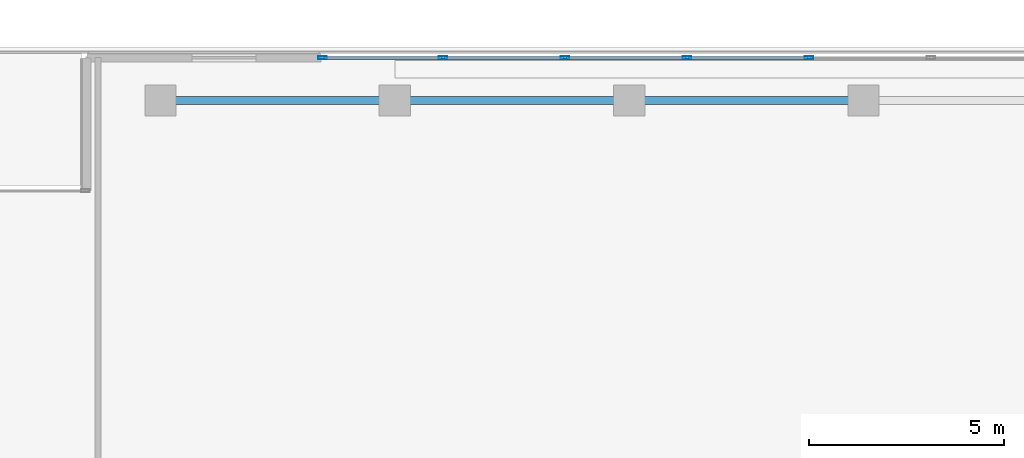
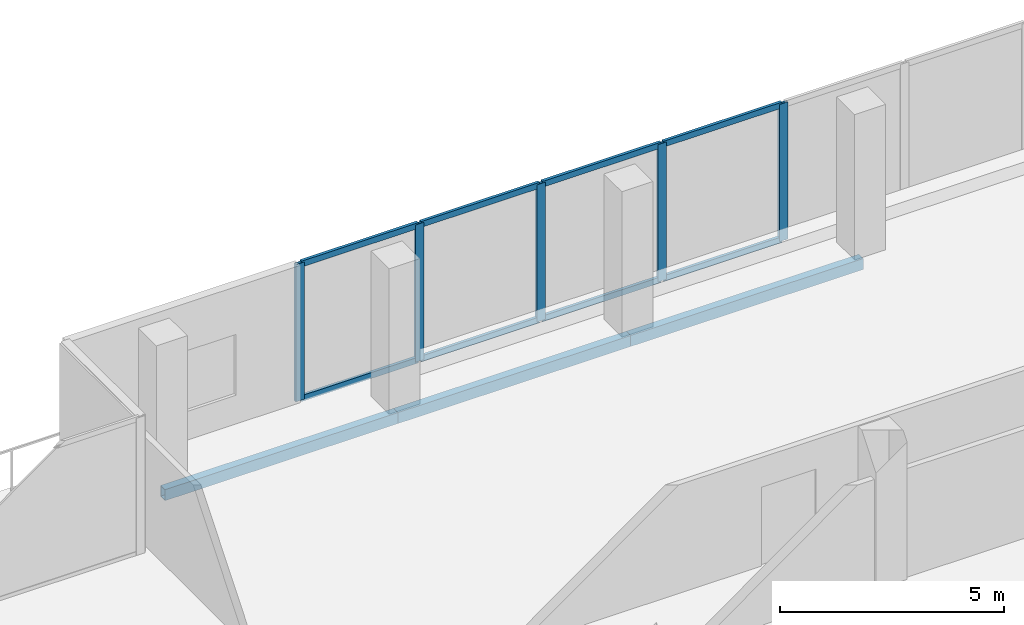
# One storey, part 12 of 26: 13 members, 3 beams, 1 element without a shape of its own.
"""IFC4 building model written with IfcOpenShell, lengths in metres."""

from ifc_helpers import new_model, si_unit, direction, frame, origin, origin_2d, place, context, subcontext, project, spatial, hollow_rectangle, extrude, material, layer, layer_set, material_profile, profile_set, type_object, element, aggregate, save


model = new_model("IFC4")

# Units and contexts
model_context = context("Model", 3, precision=1e-05, world=origin(), true_north=direction((0.0, 1.0)))
body_context = subcontext(model_context, "Body", "Model", "MODEL_VIEW")
ifc_project = project(units=[si_unit("LENGTHUNIT", "METRE"), si_unit("AREAUNIT", "SQUARE_METRE"), si_unit("VOLUMEUNIT", "CUBIC_METRE"), si_unit("PLANEANGLEUNIT", "RADIAN"), si_unit("MASSUNIT", "GRAM", prefix="KILO")], contexts=[model_context])

# Site, building, storey
site_placement = place(None, origin())
site = spatial("IfcSite", under=ifc_project, at=site_placement, CompositionType="ELEMENT")
building_placement = place(site_placement, origin())
building = spatial("IfcBuilding", under=site, at=building_placement, Name="Tanjung Sevakor Pilgrim Tower", CompositionType="ELEMENT")
storey_placement = place(building_placement, frame((0.0, 0.0, 177.8701171875)))
storey = spatial("IfcBuildingStorey", under=building, at=storey_placement, Name="L49", CompositionType="ELEMENT", Elevation=177.8701171875)

# Beams
ifc_material_1 = material(Name="Steel S355J2", Category="steel")
ifc_material_profile_1 = material_profile(ifc_material_1, hollow_rectangle(XDim=0.199951171875, YDim=0.300048828125, WallThickness=0.012451171875, at=origin_2d()))
ifc_profile_set_1 = profile_set([ifc_material_profile_1], Name="Steel S355J2")
beam_type = type_object("IfcBeamType", Name="BM-B-SP3-RHS_300x200x12.5", PredefinedType="SPANDREL", material=ifc_profile_set_1)
for number, where, z_axis, x_axis, name in (
    (1, (54.0, 53.949951171875, -0.43017578125), (1.0, 0.0, 0.0), (0.0, 1.0, 0.0), "L49 Spandrel MAIN N-06"),
    (2, (60.0, 53.949951171875, -0.43017578125), (1.0, 0.0, 0.0), (0.0, 1.0, 0.0), "L49 Spandrel MAIN N-08"),
    (3, (66.0, 53.949951171875, -0.43017578125), (1.0, 0.0, 0.0), (0.0, 1.0, 0.0), "L49 Spandrel MAIN N-10"),
):
    element("IfcBeam", number, at=place(storey_placement, frame(where, z_axis=z_axis, x_axis=x_axis)), inside=storey, type_object=beam_type, Name=name, PredefinedType="SPANDREL", context=body_context, shape_type="SweptSolid", body=[
        extrude(hollow_rectangle(XDim=0.199951171875, YDim=0.300048828125, WallThickness=0.012451171875, at=origin_2d()), origin(), (0.0, 0.0, 1.0), 6.0),
    ])

# Curtain wall, members
ifc_material_2 = material(Name="Aluminium 6063-T6 and Low-E Glass", Category="aluminium")
ifc_layer = layer(ifc_material_2, 0.199951171875)
ifc_layer_set = layer_set([ifc_layer], Name="CW-SYS-SKY")
curtain_wall_type = type_object("IfcCurtainWallType", Name="CW-SYS-SKY", PredefinedType="NOTDEFINED", material=ifc_layer_set)
curtain_wall_placement = place(storey_placement, origin())
curtain_wall = element("IfcCurtainWall", 4, at=curtain_wall_placement, inside=storey, type_object=curtain_wall_type, Name="L49 Curtain Wall CW-SKY-L49-N", PredefinedType="NOTDEFINED")
ifc_material_3 = material(Name="Aluminium 6063-T6", Category="aluminium")
ifc_material_profile_2 = material_profile(ifc_material_3, hollow_rectangle(XDim=0.074951171875, YDim=0.219970703125, WallThickness=0.0048828125, at=origin_2d()))
ifc_profile_set_2 = profile_set([ifc_material_profile_2], Name="Aluminium 6063-T6")
member_type_1 = type_object("IfcMemberType", Name="TYPE-CWM-2", PredefinedType="MULLION", material=ifc_profile_set_2)
member_1_placement = place(storey_placement, frame((70.607666015625, 55.0400390625, 0.0), z_axis=(0.0, 0.0, 1.0), x_axis=(0.0, -1.0, 0.0)))
member_1 = element("IfcMember", 5, at=member_1_placement, type_object=member_type_1, Name="CW-SKY mullion 7", PredefinedType="MULLION", context=body_context, shape_type="SweptSolid", body=[
    extrude(hollow_rectangle(XDim=0.074951171875, YDim=0.219970703125, WallThickness=0.0048828125, at=origin_2d()), origin(), (0.0, 0.0, 1.0), 3.739990234375),
])
member_2_placement = place(storey_placement, frame((67.4833984375, 55.0400390625, 0.0), z_axis=(0.0, 0.0, 1.0), x_axis=(0.0, -1.0, 0.0)))
member_2 = element("IfcMember", 6, at=member_2_placement, type_object=member_type_1, Name="CW-SKY mullion 8", PredefinedType="MULLION", context=body_context, shape_type="SweptSolid", body=[
    extrude(hollow_rectangle(XDim=0.074951171875, YDim=0.219970703125, WallThickness=0.0048828125, at=origin_2d()), origin(), (0.0, 0.0, 1.0), 3.739990234375),
])
member_3_placement = place(storey_placement, frame((64.35888671875, 55.0400390625, 0.0), z_axis=(0.0, 0.0, 1.0), x_axis=(0.0, -1.0, 0.0)))
member_3 = element("IfcMember", 7, at=member_3_placement, type_object=member_type_1, Name="CW-SKY mullion 9", PredefinedType="MULLION", context=body_context, shape_type="SweptSolid", body=[
    extrude(hollow_rectangle(XDim=0.074951171875, YDim=0.219970703125, WallThickness=0.0048828125, at=origin_2d()), origin(), (0.0, 0.0, 1.0), 3.739990234375),
])
member_4_placement = place(storey_placement, frame((61.234375, 55.0400390625, 0.0), z_axis=(0.0, 0.0, 1.0), x_axis=(0.0, -1.0, 0.0)))
member_4 = element("IfcMember", 8, at=member_4_placement, type_object=member_type_1, Name="CW-SKY mullion 10", PredefinedType="MULLION", context=body_context, shape_type="SweptSolid", body=[
    extrude(hollow_rectangle(XDim=0.074951171875, YDim=0.219970703125, WallThickness=0.0048828125, at=origin_2d()), origin(), (0.0, 0.0, 1.0), 3.739990234375),
])
member_5_placement = place(storey_placement, frame((58.1474609375, 55.0400390625, 0.0), z_axis=(0.0, 0.0, 1.0), x_axis=(0.0, -1.0, 0.0)))
member_5 = element("IfcMember", 9, at=member_5_placement, type_object=member_type_1, Name="CW-SKY mullion 11", PredefinedType="MULLION", context=body_context, shape_type="SweptSolid", body=[
    extrude(hollow_rectangle(XDim=0.074951171875, YDim=0.219970703125, WallThickness=0.0048828125, at=origin_2d()), origin(), (0.0, 0.0, 1.0), 3.739990234375),
])
ifc_material_4 = material(Name="Aluminium 6063-T6", Category="aluminium")
ifc_material_profile_3 = material_profile(ifc_material_4, hollow_rectangle(XDim=0.074951171875, YDim=0.159912109375, WallThickness=0.00439453125, at=origin_2d()))
ifc_profile_set_3 = profile_set([ifc_material_profile_3], Name="Aluminium 6063-T6")
member_type_2 = type_object("IfcMemberType", Name="TYPE-CWT-2", PredefinedType="USERDEFINED", material=ifc_profile_set_3)
member_6_placement = place(storey_placement, frame((70.5703125, 55.0400390625, 0.037353515625), z_axis=(-1.0, 0.0, 0.0), x_axis=(0.0, -1.0, 0.0)))
member_6 = element("IfcMember", 10, at=member_6_placement, type_object=member_type_2, Name="CW-SKY transom 7.1", ObjectType="TRANSOM", PredefinedType="USERDEFINED", context=body_context, shape_type="SweptSolid", body=[
    extrude(hollow_rectangle(XDim=0.074951171875, YDim=0.159912109375, WallThickness=0.00439453125, at=origin_2d()), origin(), (0.0, 0.0, 1.0), 3.049560546875),
])
member_7_placement = place(storey_placement, frame((70.5703125, 55.0400390625, 3.702392578125), z_axis=(-1.0, 0.0, 0.0), x_axis=(0.0, -1.0, 0.0)))
member_7 = element("IfcMember", 11, at=member_7_placement, type_object=member_type_2, Name="CW-SKY transom 7.2", ObjectType="TRANSOM", PredefinedType="USERDEFINED", context=body_context, shape_type="SweptSolid", body=[
    extrude(hollow_rectangle(XDim=0.074951171875, YDim=0.159912109375, WallThickness=0.00439453125, at=origin_2d()), origin(), (0.0, 0.0, 1.0), 3.049560546875),
])
member_8_placement = place(storey_placement, frame((67.44580078125, 55.0400390625, 0.037353515625), z_axis=(-1.0, 0.0, 0.0), x_axis=(0.0, -1.0, 0.0)))
member_8 = element("IfcMember", 12, at=member_8_placement, type_object=member_type_2, Name="CW-SKY transom 8.1", ObjectType="TRANSOM", PredefinedType="USERDEFINED", context=body_context, shape_type="SweptSolid", body=[
    extrude(hollow_rectangle(XDim=0.074951171875, YDim=0.159912109375, WallThickness=0.00439453125, at=origin_2d()), origin(), (0.0, 0.0, 1.0), 3.04931640625),
])
member_9_placement = place(storey_placement, frame((67.44580078125, 55.0400390625, 3.702392578125), z_axis=(-1.0, 0.0, 0.0), x_axis=(0.0, -1.0, 0.0)))
member_9 = element("IfcMember", 13, at=member_9_placement, type_object=member_type_2, Name="CW-SKY transom 8.2", ObjectType="TRANSOM", PredefinedType="USERDEFINED", context=body_context, shape_type="SweptSolid", body=[
    extrude(hollow_rectangle(XDim=0.074951171875, YDim=0.159912109375, WallThickness=0.00439453125, at=origin_2d()), origin(), (0.0, 0.0, 1.0), 3.04931640625),
])
member_10_placement = place(storey_placement, frame((64.3212890625, 55.0400390625, 0.037353515625), z_axis=(-1.0, 0.0, 0.0), x_axis=(0.0, -1.0, 0.0)))
member_10 = element("IfcMember", 14, at=member_10_placement, type_object=member_type_2, Name="CW-SKY transom 9.1", ObjectType="TRANSOM", PredefinedType="USERDEFINED", context=body_context, shape_type="SweptSolid", body=[
    extrude(hollow_rectangle(XDim=0.074951171875, YDim=0.159912109375, WallThickness=0.00439453125, at=origin_2d()), origin(), (0.0, 0.0, 1.0), 3.04931640625),
])
member_11_placement = place(storey_placement, frame((64.3212890625, 55.0400390625, 3.702392578125), z_axis=(-1.0, 0.0, 0.0), x_axis=(0.0, -1.0, 0.0)))
member_11 = element("IfcMember", 15, at=member_11_placement, type_object=member_type_2, Name="CW-SKY transom 9.2", ObjectType="TRANSOM", PredefinedType="USERDEFINED", context=body_context, shape_type="SweptSolid", body=[
    extrude(hollow_rectangle(XDim=0.074951171875, YDim=0.159912109375, WallThickness=0.00439453125, at=origin_2d()), origin(), (0.0, 0.0, 1.0), 3.04931640625),
])
member_12_placement = place(storey_placement, frame((61.197021484375, 55.0400390625, 0.037353515625), z_axis=(-1.0, 0.0, 0.0), x_axis=(0.0, -1.0, 0.0)))
member_12 = element("IfcMember", 16, at=member_12_placement, type_object=member_type_2, Name="CW-SKY transom 10.1", ObjectType="TRANSOM", PredefinedType="USERDEFINED", context=body_context, shape_type="SweptSolid", body=[
    extrude(hollow_rectangle(XDim=0.074951171875, YDim=0.159912109375, WallThickness=0.00439453125, at=origin_2d()), origin(), (0.0, 0.0, 1.0), 3.011962890625),
])
member_13_placement = place(storey_placement, frame((61.197021484375, 55.0400390625, 3.702392578125), z_axis=(-1.0, 0.0, 0.0), x_axis=(0.0, -1.0, 0.0)))
member_13 = element("IfcMember", 17, at=member_13_placement, type_object=member_type_2, Name="CW-SKY transom 10.2", ObjectType="TRANSOM", PredefinedType="USERDEFINED", context=body_context, shape_type="SweptSolid", body=[
    extrude(hollow_rectangle(XDim=0.074951171875, YDim=0.159912109375, WallThickness=0.00439453125, at=origin_2d()), origin(), (0.0, 0.0, 1.0), 3.011962890625),
])
aggregate(curtain_wall, [member_1, member_2, member_3, member_4, member_5, member_6, member_7, member_8, member_9, member_10, member_11, member_12, member_13])

save(model, "model.ifc")
